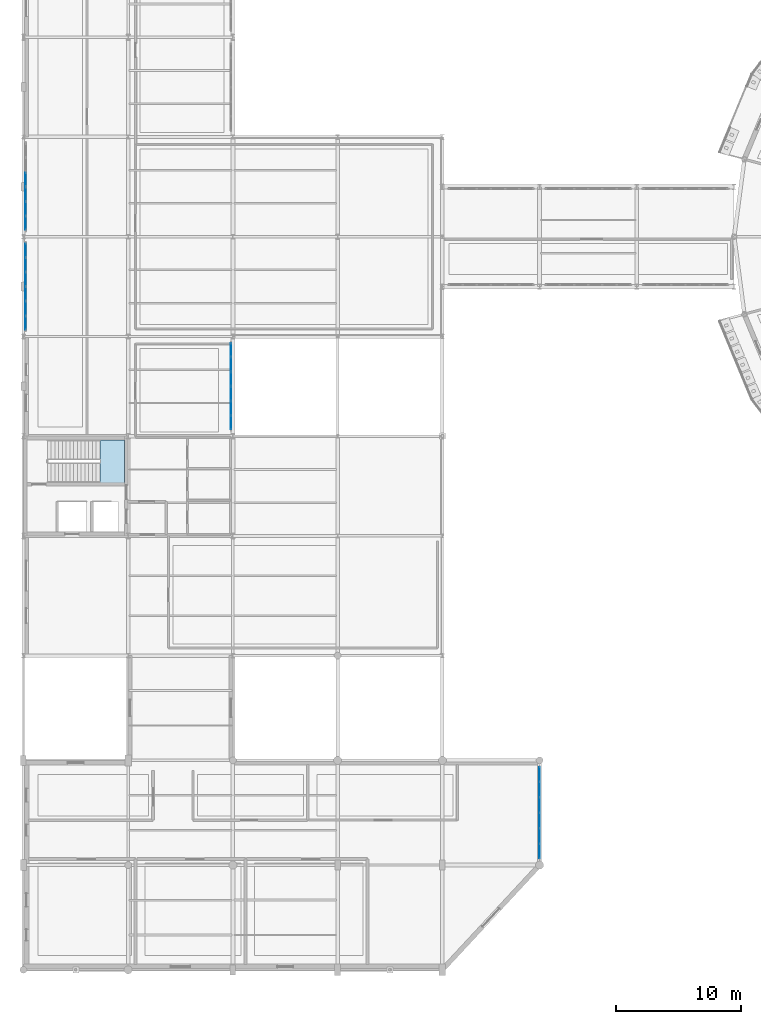
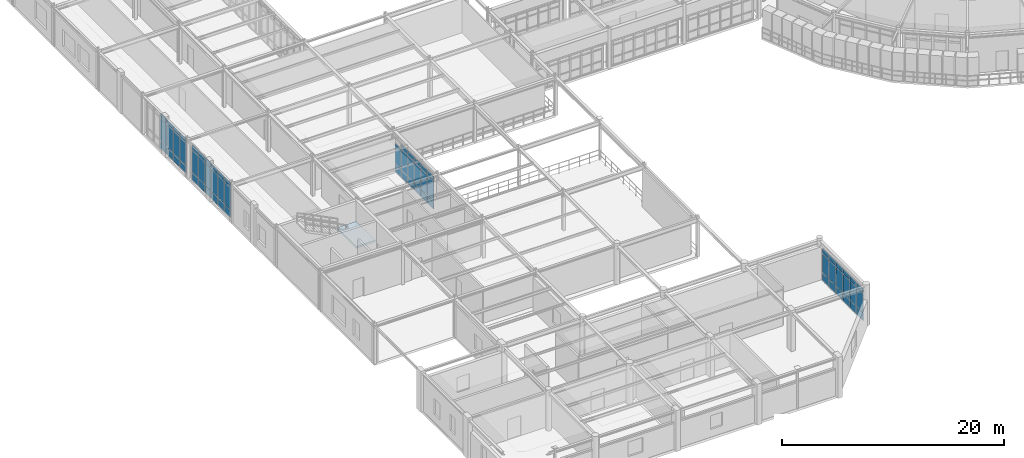
# One storey, part 65 of 106: 65 plates, 1 slab, 5 elements without a shape of their own.
"""IFC4 building model written with IfcOpenShell, lengths in metres."""

from ifc_helpers import new_model, si_unit, derived_unit, direction, frame, origin, origin_2d, place, context, subcontext, project, spatial, polyline, rectangle, outline, extrude, material, layer, layer_set, type_object, element, aggregate, save


model = new_model("IFC4")

# Units and contexts
model_context = context("Model", 3, precision=1e-05, world=origin(), true_north=direction((0.0, 1.0)))
body_context = subcontext(model_context, "Body", "Model", "MODEL_VIEW")
ifc_project = project(units=[si_unit("LENGTHUNIT", "METRE"), si_unit("AREAUNIT", "SQUARE_METRE"), si_unit("VOLUMEUNIT", "CUBIC_METRE"), si_unit("PLANEANGLEUNIT", "RADIAN"), si_unit("MASSUNIT", "GRAM", prefix="KILO"), derived_unit("THERMALTRANSMITTANCEUNIT", [(si_unit("POWERUNIT", "WATT"), 1), (si_unit("AREAUNIT", "SQUARE_METRE"), -1), (si_unit("THERMODYNAMICTEMPERATUREUNIT", "KELVIN"), -1)])], contexts=[model_context])

# Site, building, storey
site_placement = place(None, origin())
site = spatial("IfcSite", under=ifc_project, at=site_placement, CompositionType="ELEMENT")
building_placement = place(site_placement, origin())
building = spatial("IfcBuilding", under=site, at=building_placement, Name="Yasenodar Specialist Clinic", CompositionType="ELEMENT")
storey_placement = place(building_placement, frame((0.0, 0.0, 4.5)))
storey = spatial("IfcBuildingStorey", under=building, at=storey_placement, Name="L01", CompositionType="ELEMENT", Elevation=4.5)

# Curtain wall, plates
ifc_material_1 = material(Name="Bronze Anodized Aluminium and Triple Low-E Glass", Category="aluminium")
ifc_layer_1 = layer(ifc_material_1, 0.22705078125)
ifc_layer_set_1 = layer_set([ifc_layer_1], Name="Bronze Anodized Aluminium and Triple Low-E Glass")
curtain_wall_type_1 = type_object("IfcCurtainWallType", Name="CW-SYS-06", PredefinedType="USERDEFINED", material=ifc_layer_set_1)
curtain_wall_1_placement = place(storey_placement, origin())
curtain_wall_1 = element("IfcCurtainWall", 1, at=curtain_wall_1_placement, inside=storey, type_object=curtain_wall_type_1, Name="L01 Unitised Curtain Wall 120", ObjectType="UNITISED CURTAIN WALL", PredefinedType="USERDEFINED")
ifc_material_2 = material(Name="Triple Low-E Argon Glazing", Category="glass")
ifc_layer_2 = layer(ifc_material_2, 0.028076171875)
ifc_layer_set_2 = layer_set([ifc_layer_2], Name="Triple Low-E Argon Glazing")
plate_type_1 = type_object("IfcPlateType", Name="CW-PAN-1", PredefinedType="CURTAIN_PANEL", material=ifc_layer_set_2)
plate_1_placement = place(storey_placement, frame((0.179931640625, 59.885498046875, 0.074951171875), z_axis=(0.0, 0.0, 1.0), x_axis=(0.0, 1.0, 0.0)))
plate_1 = element("IfcPlate", 2, at=plate_1_placement, type_object=plate_type_1, Name="CW-06 panel 1.1", PredefinedType="CURTAIN_PANEL", context=body_context, shape_type="SweptSolid", body=[
    extrude(rectangle(XDim=1.060791015625, YDim=0.028076171875, at=origin_2d()), origin(), (0.0, 0.0, 1.0), 0.78759765625),
])
plate_2_placement = place(storey_placement, frame((0.179931640625, 59.885498046875, 0.9375), z_axis=(0.0, 0.0, 1.0), x_axis=(0.0, 1.0, 0.0)))
plate_2 = element("IfcPlate", 3, at=plate_2_placement, type_object=plate_type_1, Name="CW-06 panel 1.2", PredefinedType="CURTAIN_PANEL", context=body_context, shape_type="SweptSolid", body=[
    extrude(rectangle(XDim=1.060791015625, YDim=0.028076171875, at=origin_2d()), origin(), (0.0, 0.0, 1.0), 2.423095703125),
])
plate_3_placement = place(storey_placement, frame((0.179931640625, 59.885498046875, 3.435546875), z_axis=(0.0, 0.0, 1.0), x_axis=(0.0, 1.0, 0.0)))
plate_3 = element("IfcPlate", 4, at=plate_3_placement, type_object=plate_type_1, Name="CW-06 panel 1.3", PredefinedType="CURTAIN_PANEL", context=body_context, shape_type="SweptSolid", body=[
    extrude(rectangle(XDim=1.060791015625, YDim=0.028076171875, at=origin_2d()), origin(), (0.0, 0.0, 1.0), 0.487548828125),
])
plate_4_placement = place(storey_placement, frame((0.179931640625, 61.0400390625, 0.074951171875), z_axis=(0.0, 0.0, 1.0), x_axis=(0.0, 1.0, 0.0)))
plate_4 = element("IfcPlate", 5, at=plate_4_placement, type_object=plate_type_1, Name="CW-06 panel 2.1", PredefinedType="CURTAIN_PANEL", context=body_context, shape_type="SweptSolid", body=[
    extrude(rectangle(XDim=1.098388671875, YDim=0.028076171875, at=origin_2d()), origin(), (0.0, 0.0, 1.0), 0.78759765625),
])
plate_5_placement = place(storey_placement, frame((0.179931640625, 61.0400390625, 0.9375), z_axis=(0.0, 0.0, 1.0), x_axis=(0.0, 1.0, 0.0)))
plate_5 = element("IfcPlate", 6, at=plate_5_placement, type_object=plate_type_1, Name="CW-06 panel 2.2", PredefinedType="CURTAIN_PANEL", context=body_context, shape_type="SweptSolid", body=[
    extrude(rectangle(XDim=1.098388671875, YDim=0.028076171875, at=origin_2d()), origin(), (0.0, 0.0, 1.0), 2.423095703125),
])
plate_6_placement = place(storey_placement, frame((0.179931640625, 61.0400390625, 3.435546875), z_axis=(0.0, 0.0, 1.0), x_axis=(0.0, 1.0, 0.0)))
plate_6 = element("IfcPlate", 7, at=plate_6_placement, type_object=plate_type_1, Name="CW-06 panel 2.3", PredefinedType="CURTAIN_PANEL", context=body_context, shape_type="SweptSolid", body=[
    extrude(rectangle(XDim=1.098388671875, YDim=0.028076171875, at=origin_2d()), origin(), (0.0, 0.0, 1.0), 0.487548828125),
])
plate_7_placement = place(storey_placement, frame((0.179931640625, 62.21337890625, 0.074951171875), z_axis=(0.0, 0.0, 1.0), x_axis=(0.0, 1.0, 0.0)))
plate_7 = element("IfcPlate", 8, at=plate_7_placement, type_object=plate_type_1, Name="CW-06 panel 3.1", PredefinedType="CURTAIN_PANEL", context=body_context, shape_type="SweptSolid", body=[
    extrude(rectangle(XDim=1.098388671875, YDim=0.028076171875, at=origin_2d()), origin(), (0.0, 0.0, 1.0), 0.78759765625),
])
plate_8_placement = place(storey_placement, frame((0.179931640625, 62.21337890625, 0.9375), z_axis=(0.0, 0.0, 1.0), x_axis=(0.0, 1.0, 0.0)))
plate_8 = element("IfcPlate", 9, at=plate_8_placement, type_object=plate_type_1, Name="CW-06 panel 3.2", PredefinedType="CURTAIN_PANEL", context=body_context, shape_type="SweptSolid", body=[
    extrude(rectangle(XDim=1.098388671875, YDim=0.028076171875, at=origin_2d()), origin(), (0.0, 0.0, 1.0), 2.423095703125),
])
plate_9_placement = place(storey_placement, frame((0.179931640625, 62.21337890625, 3.435546875), z_axis=(0.0, 0.0, 1.0), x_axis=(0.0, 1.0, 0.0)))
plate_9 = element("IfcPlate", 10, at=plate_9_placement, type_object=plate_type_1, Name="CW-06 panel 3.3", PredefinedType="CURTAIN_PANEL", context=body_context, shape_type="SweptSolid", body=[
    extrude(rectangle(XDim=1.098388671875, YDim=0.028076171875, at=origin_2d()), origin(), (0.0, 0.0, 1.0), 0.487548828125),
])
plate_10_placement = place(storey_placement, frame((0.179931640625, 63.38671875, 0.074951171875), z_axis=(0.0, 0.0, 1.0), x_axis=(0.0, 1.0, 0.0)))
plate_10 = element("IfcPlate", 11, at=plate_10_placement, type_object=plate_type_1, Name="CW-06 panel 4.1", PredefinedType="CURTAIN_PANEL", context=body_context, shape_type="SweptSolid", body=[
    extrude(rectangle(XDim=1.098388671875, YDim=0.028076171875, at=origin_2d()), origin(), (0.0, 0.0, 1.0), 0.78759765625),
])
plate_11_placement = place(storey_placement, frame((0.179931640625, 63.38671875, 0.9375), z_axis=(0.0, 0.0, 1.0), x_axis=(0.0, 1.0, 0.0)))
plate_11 = element("IfcPlate", 12, at=plate_11_placement, type_object=plate_type_1, Name="CW-06 panel 4.2", PredefinedType="CURTAIN_PANEL", context=body_context, shape_type="SweptSolid", body=[
    extrude(rectangle(XDim=1.098388671875, YDim=0.028076171875, at=origin_2d()), origin(), (0.0, 0.0, 1.0), 2.423095703125),
])
plate_12_placement = place(storey_placement, frame((0.179931640625, 63.38671875, 3.435546875), z_axis=(0.0, 0.0, 1.0), x_axis=(0.0, 1.0, 0.0)))
plate_12 = element("IfcPlate", 13, at=plate_12_placement, type_object=plate_type_1, Name="CW-06 panel 4.3", PredefinedType="CURTAIN_PANEL", context=body_context, shape_type="SweptSolid", body=[
    extrude(rectangle(XDim=1.098388671875, YDim=0.028076171875, at=origin_2d()), origin(), (0.0, 0.0, 1.0), 0.487548828125),
])
aggregate(curtain_wall_1, [plate_1, plate_2, plate_3, plate_4, plate_5, plate_6, plate_7, plate_8, plate_9, plate_10, plate_11, plate_12])

ifc_layer_3 = layer(ifc_material_1, 0.202880859375)
ifc_layer_set_3 = layer_set([ifc_layer_3], Name="Bronze Anodized Aluminium and Triple Low-E Glass")
curtain_wall_type_2 = type_object("IfcCurtainWallType", Name="CW-SYS-04", PredefinedType="USERDEFINED", material=ifc_layer_set_3)
curtain_wall_2_placement = place(storey_placement, origin())
curtain_wall_2 = element("IfcCurtainWall", 14, at=curtain_wall_2_placement, inside=storey, type_object=curtain_wall_type_2, Name="L01 Unitised Curtain Wall 125", ObjectType="UNITISED CURTAIN WALL", PredefinedType="USERDEFINED")
ifc_layer_4 = layer(ifc_material_2, 0.033935546875)
ifc_layer_set_4 = layer_set([ifc_layer_4], Name="Triple Low-E Argon Glazing")
plate_type_2 = type_object("IfcPlateType", Name="CW-PAN-2", PredefinedType="CURTAIN_PANEL", material=ifc_layer_set_4)
plate_13_placement = place(storey_placement, frame((16.64990234375, 49.714599609375, 0.074951171875), z_axis=(0.0, 0.0, 1.0), x_axis=(0.0, -1.0, 0.0)))
plate_13 = element("IfcPlate", 15, at=plate_13_placement, type_object=plate_type_2, Name="CW-04 panel 1.1", PredefinedType="CURTAIN_PANEL", context=body_context, shape_type="SweptSolid", body=[
    extrude(rectangle(XDim=1.060791015625, YDim=0.033935546875, at=origin_2d()), origin(), (0.0, 0.0, 1.0), 0.78759765625),
])
plate_14_placement = place(storey_placement, frame((16.64990234375, 49.714599609375, 0.9375), z_axis=(0.0, 0.0, 1.0), x_axis=(0.0, -1.0, 0.0)))
plate_14 = element("IfcPlate", 16, at=plate_14_placement, type_object=plate_type_2, Name="CW-04 panel 1.2", PredefinedType="CURTAIN_PANEL", context=body_context, shape_type="SweptSolid", body=[
    extrude(rectangle(XDim=1.060791015625, YDim=0.033935546875, at=origin_2d()), origin(), (0.0, 0.0, 1.0), 2.202880859375),
])
plate_15_placement = place(storey_placement, frame((16.64990234375, 48.56005859375, 0.074951171875), z_axis=(0.0, 0.0, 1.0), x_axis=(0.0, -1.0, 0.0)))
plate_15 = element("IfcPlate", 17, at=plate_15_placement, type_object=plate_type_2, Name="CW-04 panel 2.1", PredefinedType="CURTAIN_PANEL", context=body_context, shape_type="SweptSolid", body=[
    extrude(rectangle(XDim=1.098388671875, YDim=0.033935546875, at=origin_2d()), origin(), (0.0, 0.0, 1.0), 0.78759765625),
])
plate_16_placement = place(storey_placement, frame((16.64990234375, 48.56005859375, 0.9375), z_axis=(0.0, 0.0, 1.0), x_axis=(0.0, -1.0, 0.0)))
plate_16 = element("IfcPlate", 18, at=plate_16_placement, type_object=plate_type_2, Name="CW-04 panel 2.2", PredefinedType="CURTAIN_PANEL", context=body_context, shape_type="SweptSolid", body=[
    extrude(rectangle(XDim=1.098388671875, YDim=0.033935546875, at=origin_2d()), origin(), (0.0, 0.0, 1.0), 2.202880859375),
])
plate_17_placement = place(storey_placement, frame((16.64990234375, 48.56005859375, 3.21533203125), z_axis=(0.0, 0.0, 1.0), x_axis=(0.0, -1.0, 0.0)))
plate_17 = element("IfcPlate", 19, at=plate_17_placement, type_object=plate_type_2, Name="CW-04 panel 2.3", PredefinedType="CURTAIN_PANEL", context=body_context, shape_type="SweptSolid", body=[
    extrude(rectangle(XDim=1.098388671875, YDim=0.033935546875, at=origin_2d()), origin(), (0.0, 0.0, 1.0), 0.487548828125),
])
plate_18_placement = place(storey_placement, frame((16.64990234375, 47.38671875, 0.074951171875), z_axis=(0.0, 0.0, 1.0), x_axis=(0.0, -1.0, 0.0)))
plate_18 = element("IfcPlate", 20, at=plate_18_placement, type_object=plate_type_2, Name="CW-04 panel 3.1", PredefinedType="CURTAIN_PANEL", context=body_context, shape_type="SweptSolid", body=[
    extrude(rectangle(XDim=1.098388671875, YDim=0.033935546875, at=origin_2d()), origin(), (0.0, 0.0, 1.0), 0.78759765625),
])
plate_19_placement = place(storey_placement, frame((16.64990234375, 47.38671875, 0.9375), z_axis=(0.0, 0.0, 1.0), x_axis=(0.0, -1.0, 0.0)))
plate_19 = element("IfcPlate", 21, at=plate_19_placement, type_object=plate_type_2, Name="CW-04 panel 3.2", PredefinedType="CURTAIN_PANEL", context=body_context, shape_type="SweptSolid", body=[
    extrude(rectangle(XDim=1.098388671875, YDim=0.033935546875, at=origin_2d()), origin(), (0.0, 0.0, 1.0), 2.202880859375),
])
plate_20_placement = place(storey_placement, frame((16.64990234375, 47.38671875, 3.21533203125), z_axis=(0.0, 0.0, 1.0), x_axis=(0.0, -1.0, 0.0)))
plate_20 = element("IfcPlate", 22, at=plate_20_placement, type_object=plate_type_2, Name="CW-04 panel 3.3", PredefinedType="CURTAIN_PANEL", context=body_context, shape_type="SweptSolid", body=[
    extrude(rectangle(XDim=1.098388671875, YDim=0.033935546875, at=origin_2d()), origin(), (0.0, 0.0, 1.0), 0.487548828125),
])
plate_21_placement = place(storey_placement, frame((16.64990234375, 46.21337890625, 0.074951171875), z_axis=(0.0, 0.0, 1.0), x_axis=(0.0, -1.0, 0.0)))
plate_21 = element("IfcPlate", 23, at=plate_21_placement, type_object=plate_type_2, Name="CW-04 panel 4.1", PredefinedType="CURTAIN_PANEL", context=body_context, shape_type="SweptSolid", body=[
    extrude(rectangle(XDim=1.098388671875, YDim=0.033935546875, at=origin_2d()), origin(), (0.0, 0.0, 1.0), 0.78759765625),
])
plate_22_placement = place(storey_placement, frame((16.64990234375, 46.21337890625, 0.9375), z_axis=(0.0, 0.0, 1.0), x_axis=(0.0, -1.0, 0.0)))
plate_22 = element("IfcPlate", 24, at=plate_22_placement, type_object=plate_type_2, Name="CW-04 panel 4.2", PredefinedType="CURTAIN_PANEL", context=body_context, shape_type="SweptSolid", body=[
    extrude(rectangle(XDim=1.098388671875, YDim=0.033935546875, at=origin_2d()), origin(), (0.0, 0.0, 1.0), 2.202880859375),
])
plate_23_placement = place(storey_placement, frame((16.64990234375, 46.21337890625, 3.21533203125), z_axis=(0.0, 0.0, 1.0), x_axis=(0.0, -1.0, 0.0)))
plate_23 = element("IfcPlate", 25, at=plate_23_placement, type_object=plate_type_2, Name="CW-04 panel 4.3", PredefinedType="CURTAIN_PANEL", context=body_context, shape_type="SweptSolid", body=[
    extrude(rectangle(XDim=1.098388671875, YDim=0.033935546875, at=origin_2d()), origin(), (0.0, 0.0, 1.0), 0.487548828125),
])
plate_24_placement = place(storey_placement, frame((16.64990234375, 45.0400390625, 0.074951171875), z_axis=(0.0, 0.0, 1.0), x_axis=(0.0, -1.0, 0.0)))
plate_24 = element("IfcPlate", 26, at=plate_24_placement, type_object=plate_type_2, Name="CW-04 panel 5.1", PredefinedType="CURTAIN_PANEL", context=body_context, shape_type="SweptSolid", body=[
    extrude(rectangle(XDim=1.098388671875, YDim=0.033935546875, at=origin_2d()), origin(), (0.0, 0.0, 1.0), 0.78759765625),
])
plate_25_placement = place(storey_placement, frame((16.64990234375, 45.0400390625, 0.9375), z_axis=(0.0, 0.0, 1.0), x_axis=(0.0, -1.0, 0.0)))
plate_25 = element("IfcPlate", 27, at=plate_25_placement, type_object=plate_type_2, Name="CW-04 panel 5.2", PredefinedType="CURTAIN_PANEL", context=body_context, shape_type="SweptSolid", body=[
    extrude(rectangle(XDim=1.098388671875, YDim=0.033935546875, at=origin_2d()), origin(), (0.0, 0.0, 1.0), 2.202880859375),
])
plate_26_placement = place(storey_placement, frame((16.64990234375, 45.0400390625, 3.21533203125), z_axis=(0.0, 0.0, 1.0), x_axis=(0.0, -1.0, 0.0)))
plate_26 = element("IfcPlate", 28, at=plate_26_placement, type_object=plate_type_2, Name="CW-04 panel 5.3", PredefinedType="CURTAIN_PANEL", context=body_context, shape_type="SweptSolid", body=[
    extrude(rectangle(XDim=1.098388671875, YDim=0.033935546875, at=origin_2d()), origin(), (0.0, 0.0, 1.0), 0.487548828125),
])
plate_27_placement = place(storey_placement, frame((16.64990234375, 43.885498046875, 0.074951171875), z_axis=(0.0, 0.0, 1.0), x_axis=(0.0, -1.0, 0.0)))
plate_27 = element("IfcPlate", 29, at=plate_27_placement, type_object=plate_type_2, Name="CW-04 panel 6.1", PredefinedType="CURTAIN_PANEL", context=body_context, shape_type="SweptSolid", body=[
    extrude(rectangle(XDim=1.060791015625, YDim=0.033935546875, at=origin_2d()), origin(), (0.0, 0.0, 1.0), 0.78759765625),
])
plate_28_placement = place(storey_placement, frame((16.64990234375, 43.885498046875, 0.9375), z_axis=(0.0, 0.0, 1.0), x_axis=(0.0, -1.0, 0.0)))
plate_28 = element("IfcPlate", 30, at=plate_28_placement, type_object=plate_type_2, Name="CW-04 panel 6.2", PredefinedType="CURTAIN_PANEL", context=body_context, shape_type="SweptSolid", body=[
    extrude(rectangle(XDim=1.060791015625, YDim=0.033935546875, at=origin_2d()), origin(), (0.0, 0.0, 1.0), 2.202880859375),
])
plate_29_placement = place(storey_placement, frame((16.64990234375, 43.885498046875, 3.21533203125), z_axis=(0.0, 0.0, 1.0), x_axis=(0.0, -1.0, 0.0)))
plate_29 = element("IfcPlate", 31, at=plate_29_placement, type_object=plate_type_2, Name="CW-04 panel 6.3", PredefinedType="CURTAIN_PANEL", context=body_context, shape_type="SweptSolid", body=[
    extrude(rectangle(XDim=1.060791015625, YDim=0.033935546875, at=origin_2d()), origin(), (0.0, 0.0, 1.0), 0.487548828125),
])
aggregate(curtain_wall_2, [plate_13, plate_14, plate_15, plate_16, plate_17, plate_18, plate_19, plate_20, plate_21, plate_22, plate_23, plate_24, plate_25, plate_26, plate_27, plate_28, plate_29])

curtain_wall_3_placement = place(storey_placement, origin())
curtain_wall_3 = element("IfcCurtainWall", 32, at=curtain_wall_3_placement, inside=storey, type_object=curtain_wall_type_2, Name="L01 Unitised Curtain Wall 074", ObjectType="UNITISED CURTAIN WALL", PredefinedType="USERDEFINED")
ifc_layer_5 = layer(ifc_material_2, 0.0400390625)
ifc_layer_set_5 = layer_set([ifc_layer_5], Name="Triple Low-E Argon Glazing")
plate_type_3 = type_object("IfcPlateType", Name="CW-PAN-3", PredefinedType="CURTAIN_PANEL", material=ifc_layer_set_5)
plate_30_placement = place(storey_placement, frame((41.39990234375, 15.68505859375, 0.06005859375), z_axis=(0.0, 0.0, 1.0), x_axis=(0.0, -1.0, 0.0)))
plate_30 = element("IfcPlate", 33, at=plate_30_placement, type_object=plate_type_3, Name="CW-04 panel 1.1", PredefinedType="CURTAIN_PANEL", context=body_context, shape_type="SweptSolid", body=[
    extrude(rectangle(XDim=1.14990234375, YDim=0.0400390625, at=origin_2d()), origin(), (0.0, 0.0, 1.0), 0.81005859375),
])
plate_31_placement = place(storey_placement, frame((41.39990234375, 15.68505859375, 0.93017578125), z_axis=(0.0, 0.0, 1.0), x_axis=(0.0, -1.0, 0.0)))
plate_31 = element("IfcPlate", 34, at=plate_31_placement, type_object=plate_type_3, Name="CW-04 panel 1.2", PredefinedType="CURTAIN_PANEL", context=body_context, shape_type="SweptSolid", body=[
    extrude(rectangle(XDim=1.14990234375, YDim=0.0400390625, at=origin_2d()), origin(), (0.0, 0.0, 1.0), 2.068115234375),
])
plate_32_placement = place(storey_placement, frame((41.39990234375, 15.68505859375, 3.05810546875), z_axis=(0.0, 0.0, 1.0), x_axis=(0.0, -1.0, 0.0)))
plate_32 = element("IfcPlate", 35, at=plate_32_placement, type_object=plate_type_3, Name="CW-04 panel 1.3", PredefinedType="CURTAIN_PANEL", context=body_context, shape_type="SweptSolid", body=[
    extrude(rectangle(XDim=1.14990234375, YDim=0.0400390625, at=origin_2d()), origin(), (0.0, 0.0, 1.0), 0.510009765625),
])
plate_33_placement = place(storey_placement, frame((41.39990234375, 14.4599609375, 0.06005859375), z_axis=(0.0, 0.0, 1.0), x_axis=(0.0, -1.0, 0.0)))
plate_33 = element("IfcPlate", 36, at=plate_33_placement, type_object=plate_type_3, Name="CW-04 panel 2.1", PredefinedType="CURTAIN_PANEL", context=body_context, shape_type="SweptSolid", body=[
    extrude(rectangle(XDim=1.179931640625, YDim=0.0400390625, at=origin_2d()), origin(), (0.0, 0.0, 1.0), 0.81005859375),
])
plate_34_placement = place(storey_placement, frame((41.39990234375, 14.4599609375, 0.93017578125), z_axis=(0.0, 0.0, 1.0), x_axis=(0.0, -1.0, 0.0)))
plate_34 = element("IfcPlate", 37, at=plate_34_placement, type_object=plate_type_3, Name="CW-04 panel 2.2", PredefinedType="CURTAIN_PANEL", context=body_context, shape_type="SweptSolid", body=[
    extrude(rectangle(XDim=1.179931640625, YDim=0.0400390625, at=origin_2d()), origin(), (0.0, 0.0, 1.0), 2.068115234375),
])
plate_35_placement = place(storey_placement, frame((41.39990234375, 14.4599609375, 3.05810546875), z_axis=(0.0, 0.0, 1.0), x_axis=(0.0, -1.0, 0.0)))
plate_35 = element("IfcPlate", 38, at=plate_35_placement, type_object=plate_type_3, Name="CW-04 panel 2.3", PredefinedType="CURTAIN_PANEL", context=body_context, shape_type="SweptSolid", body=[
    extrude(rectangle(XDim=1.179931640625, YDim=0.0400390625, at=origin_2d()), origin(), (0.0, 0.0, 1.0), 0.510009765625),
])
plate_36_placement = place(storey_placement, frame((41.39990234375, 13.219970703125, 0.06005859375), z_axis=(0.0, 0.0, 1.0), x_axis=(0.0, -1.0, 0.0)))
plate_36 = element("IfcPlate", 39, at=plate_36_placement, type_object=plate_type_3, Name="CW-04 panel 3.1", PredefinedType="CURTAIN_PANEL", context=body_context, shape_type="SweptSolid", body=[
    extrude(rectangle(XDim=1.179931640625, YDim=0.0400390625, at=origin_2d()), origin(), (0.0, 0.0, 1.0), 0.81005859375),
])
plate_37_placement = place(storey_placement, frame((41.39990234375, 13.219970703125, 0.93017578125), z_axis=(0.0, 0.0, 1.0), x_axis=(0.0, -1.0, 0.0)))
plate_37 = element("IfcPlate", 40, at=plate_37_placement, type_object=plate_type_3, Name="CW-04 panel 3.2", PredefinedType="CURTAIN_PANEL", context=body_context, shape_type="SweptSolid", body=[
    extrude(rectangle(XDim=1.179931640625, YDim=0.0400390625, at=origin_2d()), origin(), (0.0, 0.0, 1.0), 2.068115234375),
])
plate_38_placement = place(storey_placement, frame((41.39990234375, 13.219970703125, 3.05810546875), z_axis=(0.0, 0.0, 1.0), x_axis=(0.0, -1.0, 0.0)))
plate_38 = element("IfcPlate", 41, at=plate_38_placement, type_object=plate_type_3, Name="CW-04 panel 3.3", PredefinedType="CURTAIN_PANEL", context=body_context, shape_type="SweptSolid", body=[
    extrude(rectangle(XDim=1.179931640625, YDim=0.0400390625, at=origin_2d()), origin(), (0.0, 0.0, 1.0), 0.510009765625),
])
plate_39_placement = place(storey_placement, frame((41.39990234375, 11.97998046875, 0.06005859375), z_axis=(0.0, 0.0, 1.0), x_axis=(0.0, -1.0, 0.0)))
plate_39 = element("IfcPlate", 42, at=plate_39_placement, type_object=plate_type_3, Name="CW-04 panel 4.1", PredefinedType="CURTAIN_PANEL", context=body_context, shape_type="SweptSolid", body=[
    extrude(rectangle(XDim=1.179931640625, YDim=0.0400390625, at=origin_2d()), origin(), (0.0, 0.0, 1.0), 0.81005859375),
])
plate_40_placement = place(storey_placement, frame((41.39990234375, 11.97998046875, 0.93017578125), z_axis=(0.0, 0.0, 1.0), x_axis=(0.0, -1.0, 0.0)))
plate_40 = element("IfcPlate", 43, at=plate_40_placement, type_object=plate_type_3, Name="CW-04 panel 4.2", PredefinedType="CURTAIN_PANEL", context=body_context, shape_type="SweptSolid", body=[
    extrude(rectangle(XDim=1.179931640625, YDim=0.0400390625, at=origin_2d()), origin(), (0.0, 0.0, 1.0), 2.068115234375),
])
plate_41_placement = place(storey_placement, frame((41.39990234375, 11.97998046875, 3.05810546875), z_axis=(0.0, 0.0, 1.0), x_axis=(0.0, -1.0, 0.0)))
plate_41 = element("IfcPlate", 44, at=plate_41_placement, type_object=plate_type_3, Name="CW-04 panel 4.3", PredefinedType="CURTAIN_PANEL", context=body_context, shape_type="SweptSolid", body=[
    extrude(rectangle(XDim=1.179931640625, YDim=0.0400390625, at=origin_2d()), origin(), (0.0, 0.0, 1.0), 0.510009765625),
])
plate_42_placement = place(storey_placement, frame((41.39990234375, 10.739990234375, 0.06005859375), z_axis=(0.0, 0.0, 1.0), x_axis=(0.0, -1.0, 0.0)))
plate_42 = element("IfcPlate", 45, at=plate_42_placement, type_object=plate_type_3, Name="CW-04 panel 5.1", PredefinedType="CURTAIN_PANEL", context=body_context, shape_type="SweptSolid", body=[
    extrude(rectangle(XDim=1.179931640625, YDim=0.0400390625, at=origin_2d()), origin(), (0.0, 0.0, 1.0), 0.81005859375),
])
plate_43_placement = place(storey_placement, frame((41.39990234375, 10.739990234375, 0.93017578125), z_axis=(0.0, 0.0, 1.0), x_axis=(0.0, -1.0, 0.0)))
plate_43 = element("IfcPlate", 46, at=plate_43_placement, type_object=plate_type_3, Name="CW-04 panel 5.2", PredefinedType="CURTAIN_PANEL", context=body_context, shape_type="SweptSolid", body=[
    extrude(rectangle(XDim=1.179931640625, YDim=0.0400390625, at=origin_2d()), origin(), (0.0, 0.0, 1.0), 2.068115234375),
])
plate_44_placement = place(storey_placement, frame((41.39990234375, 10.739990234375, 3.05810546875), z_axis=(0.0, 0.0, 1.0), x_axis=(0.0, -1.0, 0.0)))
plate_44 = element("IfcPlate", 47, at=plate_44_placement, type_object=plate_type_3, Name="CW-04 panel 5.3", PredefinedType="CURTAIN_PANEL", context=body_context, shape_type="SweptSolid", body=[
    extrude(rectangle(XDim=1.179931640625, YDim=0.0400390625, at=origin_2d()), origin(), (0.0, 0.0, 1.0), 0.510009765625),
])
plate_45_placement = place(storey_placement, frame((41.39990234375, 9.514892578125, 0.06005859375), z_axis=(0.0, 0.0, 1.0), x_axis=(0.0, -1.0, 0.0)))
plate_45 = element("IfcPlate", 48, at=plate_45_placement, type_object=plate_type_3, Name="CW-04 panel 6.1", PredefinedType="CURTAIN_PANEL", context=body_context, shape_type="SweptSolid", body=[
    extrude(rectangle(XDim=1.14990234375, YDim=0.0400390625, at=origin_2d()), origin(), (0.0, 0.0, 1.0), 0.81005859375),
])
plate_46_placement = place(storey_placement, frame((41.39990234375, 9.514892578125, 0.93017578125), z_axis=(0.0, 0.0, 1.0), x_axis=(0.0, -1.0, 0.0)))
plate_46 = element("IfcPlate", 49, at=plate_46_placement, type_object=plate_type_3, Name="CW-04 panel 6.2", PredefinedType="CURTAIN_PANEL", context=body_context, shape_type="SweptSolid", body=[
    extrude(rectangle(XDim=1.14990234375, YDim=0.0400390625, at=origin_2d()), origin(), (0.0, 0.0, 1.0), 2.068115234375),
])
plate_47_placement = place(storey_placement, frame((41.39990234375, 9.514892578125, 3.05810546875), z_axis=(0.0, 0.0, 1.0), x_axis=(0.0, -1.0, 0.0)))
plate_47 = element("IfcPlate", 50, at=plate_47_placement, type_object=plate_type_3, Name="CW-04 panel 6.3", PredefinedType="CURTAIN_PANEL", context=body_context, shape_type="SweptSolid", body=[
    extrude(rectangle(XDim=1.14990234375, YDim=0.0400390625, at=origin_2d()), origin(), (0.0, 0.0, 1.0), 0.510009765625),
])
aggregate(curtain_wall_3, [plate_30, plate_31, plate_32, plate_33, plate_34, plate_35, plate_36, plate_37, plate_38, plate_39, plate_40, plate_41, plate_42, plate_43, plate_44, plate_45, plate_46, plate_47])

curtain_wall_4_placement = place(storey_placement, origin())
curtain_wall_4 = element("IfcCurtainWall", 51, at=curtain_wall_4_placement, inside=storey, type_object=curtain_wall_type_1, Name="L01 Unitised Curtain Wall 119", ObjectType="UNITISED CURTAIN WALL", PredefinedType="USERDEFINED")
ifc_layer_6 = layer(ifc_material_2, 0.0458984375)
ifc_layer_set_6 = layer_set([ifc_layer_6], Name="Triple Low-E Argon Glazing")
plate_type_4 = type_object("IfcPlateType", Name="CW-PAN-4", PredefinedType="CURTAIN_PANEL", material=ifc_layer_set_6)
plate_48_placement = place(storey_placement, frame((0.179931640625, 51.88427734375, 0.070068359375), z_axis=(0.0, 0.0, 1.0), x_axis=(0.0, 1.0, 0.0)))
plate_48 = element("IfcPlate", 52, at=plate_48_placement, type_object=plate_type_4, Name="CW-06 panel 1.1", PredefinedType="CURTAIN_PANEL", context=body_context, shape_type="SweptSolid", body=[
    extrude(rectangle(XDim=1.068359375, YDim=0.0458984375, at=origin_2d()), origin(), (0.0, 0.0, 1.0), 0.794921875),
])
plate_49_placement = place(storey_placement, frame((0.179931640625, 51.88427734375, 0.93505859375), z_axis=(0.0, 0.0, 1.0), x_axis=(0.0, 1.0, 0.0)))
plate_49 = element("IfcPlate", 53, at=plate_49_placement, type_object=plate_type_4, Name="CW-06 panel 1.2", PredefinedType="CURTAIN_PANEL", context=body_context, shape_type="SweptSolid", body=[
    extrude(rectangle(XDim=1.068359375, YDim=0.0458984375, at=origin_2d()), origin(), (0.0, 0.0, 1.0), 2.407958984375),
])
plate_50_placement = place(storey_placement, frame((0.179931640625, 51.88427734375, 3.412841796875), z_axis=(0.0, 0.0, 1.0), x_axis=(0.0, 1.0, 0.0)))
plate_50 = element("IfcPlate", 54, at=plate_50_placement, type_object=plate_type_4, Name="CW-06 panel 1.3", PredefinedType="CURTAIN_PANEL", context=body_context, shape_type="SweptSolid", body=[
    extrude(rectangle(XDim=1.068359375, YDim=0.0458984375, at=origin_2d()), origin(), (0.0, 0.0, 1.0), 0.4951171875),
])
plate_51_placement = place(storey_placement, frame((0.179931640625, 53.0400390625, 0.070068359375), z_axis=(0.0, 0.0, 1.0), x_axis=(0.0, 1.0, 0.0)))
plate_51 = element("IfcPlate", 55, at=plate_51_placement, type_object=plate_type_4, Name="CW-06 panel 2.1", PredefinedType="CURTAIN_PANEL", context=body_context, shape_type="SweptSolid", body=[
    extrude(rectangle(XDim=1.103271484375, YDim=0.0458984375, at=origin_2d()), origin(), (0.0, 0.0, 1.0), 0.794921875),
])
plate_52_placement = place(storey_placement, frame((0.179931640625, 53.0400390625, 0.93505859375), z_axis=(0.0, 0.0, 1.0), x_axis=(0.0, 1.0, 0.0)))
plate_52 = element("IfcPlate", 56, at=plate_52_placement, type_object=plate_type_4, Name="CW-06 panel 2.2", PredefinedType="CURTAIN_PANEL", context=body_context, shape_type="SweptSolid", body=[
    extrude(rectangle(XDim=1.103271484375, YDim=0.0458984375, at=origin_2d()), origin(), (0.0, 0.0, 1.0), 2.407958984375),
])
plate_53_placement = place(storey_placement, frame((0.179931640625, 53.0400390625, 3.412841796875), z_axis=(0.0, 0.0, 1.0), x_axis=(0.0, 1.0, 0.0)))
plate_53 = element("IfcPlate", 57, at=plate_53_placement, type_object=plate_type_4, Name="CW-06 panel 2.3", PredefinedType="CURTAIN_PANEL", context=body_context, shape_type="SweptSolid", body=[
    extrude(rectangle(XDim=1.103271484375, YDim=0.0458984375, at=origin_2d()), origin(), (0.0, 0.0, 1.0), 0.4951171875),
])
plate_54_placement = place(storey_placement, frame((0.179931640625, 54.21337890625, 0.070068359375), z_axis=(0.0, 0.0, 1.0), x_axis=(0.0, 1.0, 0.0)))
plate_54 = element("IfcPlate", 58, at=plate_54_placement, type_object=plate_type_4, Name="CW-06 panel 3.1", PredefinedType="CURTAIN_PANEL", context=body_context, shape_type="SweptSolid", body=[
    extrude(rectangle(XDim=1.103271484375, YDim=0.0458984375, at=origin_2d()), origin(), (0.0, 0.0, 1.0), 0.794921875),
])
plate_55_placement = place(storey_placement, frame((0.179931640625, 54.21337890625, 0.93505859375), z_axis=(0.0, 0.0, 1.0), x_axis=(0.0, 1.0, 0.0)))
plate_55 = element("IfcPlate", 59, at=plate_55_placement, type_object=plate_type_4, Name="CW-06 panel 3.2", PredefinedType="CURTAIN_PANEL", context=body_context, shape_type="SweptSolid", body=[
    extrude(rectangle(XDim=1.103271484375, YDim=0.0458984375, at=origin_2d()), origin(), (0.0, 0.0, 1.0), 2.407958984375),
])
plate_56_placement = place(storey_placement, frame((0.179931640625, 54.21337890625, 3.412841796875), z_axis=(0.0, 0.0, 1.0), x_axis=(0.0, 1.0, 0.0)))
plate_56 = element("IfcPlate", 60, at=plate_56_placement, type_object=plate_type_4, Name="CW-06 panel 3.3", PredefinedType="CURTAIN_PANEL", context=body_context, shape_type="SweptSolid", body=[
    extrude(rectangle(XDim=1.103271484375, YDim=0.0458984375, at=origin_2d()), origin(), (0.0, 0.0, 1.0), 0.4951171875),
])
plate_57_placement = place(storey_placement, frame((0.179931640625, 55.38671875, 0.070068359375), z_axis=(0.0, 0.0, 1.0), x_axis=(0.0, 1.0, 0.0)))
plate_57 = element("IfcPlate", 61, at=plate_57_placement, type_object=plate_type_4, Name="CW-06 panel 4.1", PredefinedType="CURTAIN_PANEL", context=body_context, shape_type="SweptSolid", body=[
    extrude(rectangle(XDim=1.103271484375, YDim=0.0458984375, at=origin_2d()), origin(), (0.0, 0.0, 1.0), 0.794921875),
])
plate_58_placement = place(storey_placement, frame((0.179931640625, 55.38671875, 0.93505859375), z_axis=(0.0, 0.0, 1.0), x_axis=(0.0, 1.0, 0.0)))
plate_58 = element("IfcPlate", 62, at=plate_58_placement, type_object=plate_type_4, Name="CW-06 panel 4.2", PredefinedType="CURTAIN_PANEL", context=body_context, shape_type="SweptSolid", body=[
    extrude(rectangle(XDim=1.103271484375, YDim=0.0458984375, at=origin_2d()), origin(), (0.0, 0.0, 1.0), 2.407958984375),
])
plate_59_placement = place(storey_placement, frame((0.179931640625, 55.38671875, 3.412841796875), z_axis=(0.0, 0.0, 1.0), x_axis=(0.0, 1.0, 0.0)))
plate_59 = element("IfcPlate", 63, at=plate_59_placement, type_object=plate_type_4, Name="CW-06 panel 4.3", PredefinedType="CURTAIN_PANEL", context=body_context, shape_type="SweptSolid", body=[
    extrude(rectangle(XDim=1.103271484375, YDim=0.0458984375, at=origin_2d()), origin(), (0.0, 0.0, 1.0), 0.4951171875),
])
plate_60_placement = place(storey_placement, frame((0.179931640625, 56.56005859375, 0.070068359375), z_axis=(0.0, 0.0, 1.0), x_axis=(0.0, 1.0, 0.0)))
plate_60 = element("IfcPlate", 64, at=plate_60_placement, type_object=plate_type_4, Name="CW-06 panel 5.1", PredefinedType="CURTAIN_PANEL", context=body_context, shape_type="SweptSolid", body=[
    extrude(rectangle(XDim=1.103271484375, YDim=0.0458984375, at=origin_2d()), origin(), (0.0, 0.0, 1.0), 0.794921875),
])
plate_61_placement = place(storey_placement, frame((0.179931640625, 56.56005859375, 0.93505859375), z_axis=(0.0, 0.0, 1.0), x_axis=(0.0, 1.0, 0.0)))
plate_61 = element("IfcPlate", 65, at=plate_61_placement, type_object=plate_type_4, Name="CW-06 panel 5.2", PredefinedType="CURTAIN_PANEL", context=body_context, shape_type="SweptSolid", body=[
    extrude(rectangle(XDim=1.103271484375, YDim=0.0458984375, at=origin_2d()), origin(), (0.0, 0.0, 1.0), 2.407958984375),
])
plate_62_placement = place(storey_placement, frame((0.179931640625, 56.56005859375, 3.412841796875), z_axis=(0.0, 0.0, 1.0), x_axis=(0.0, 1.0, 0.0)))
plate_62 = element("IfcPlate", 66, at=plate_62_placement, type_object=plate_type_4, Name="CW-06 panel 5.3", PredefinedType="CURTAIN_PANEL", context=body_context, shape_type="SweptSolid", body=[
    extrude(rectangle(XDim=1.103271484375, YDim=0.0458984375, at=origin_2d()), origin(), (0.0, 0.0, 1.0), 0.4951171875),
])
plate_63_placement = place(storey_placement, frame((0.179931640625, 57.7158203125, 0.070068359375), z_axis=(0.0, 0.0, 1.0), x_axis=(0.0, 1.0, 0.0)))
plate_63 = element("IfcPlate", 67, at=plate_63_placement, type_object=plate_type_4, Name="CW-06 panel 6.1", PredefinedType="CURTAIN_PANEL", context=body_context, shape_type="SweptSolid", body=[
    extrude(rectangle(XDim=1.068359375, YDim=0.0458984375, at=origin_2d()), origin(), (0.0, 0.0, 1.0), 0.794921875),
])
plate_64_placement = place(storey_placement, frame((0.179931640625, 57.7158203125, 0.93505859375), z_axis=(0.0, 0.0, 1.0), x_axis=(0.0, 1.0, 0.0)))
plate_64 = element("IfcPlate", 68, at=plate_64_placement, type_object=plate_type_4, Name="CW-06 panel 6.2", PredefinedType="CURTAIN_PANEL", context=body_context, shape_type="SweptSolid", body=[
    extrude(rectangle(XDim=1.068359375, YDim=0.0458984375, at=origin_2d()), origin(), (0.0, 0.0, 1.0), 2.407958984375),
])
plate_65_placement = place(storey_placement, frame((0.179931640625, 57.7158203125, 3.412841796875), z_axis=(0.0, 0.0, 1.0), x_axis=(0.0, 1.0, 0.0)))
plate_65 = element("IfcPlate", 69, at=plate_65_placement, type_object=plate_type_4, Name="CW-06 panel 6.3", PredefinedType="CURTAIN_PANEL", context=body_context, shape_type="SweptSolid", body=[
    extrude(rectangle(XDim=1.068359375, YDim=0.0458984375, at=origin_2d()), origin(), (0.0, 0.0, 1.0), 0.4951171875),
])
aggregate(curtain_wall_4, [plate_48, plate_49, plate_50, plate_51, plate_52, plate_53, plate_54, plate_55, plate_56, plate_57, plate_58, plate_59, plate_60, plate_61, plate_62, plate_63, plate_64, plate_65])

# Stair, slab
ifc_material_3 = material(Name="Concrete C30/37", Category="concrete")
stair_type = type_object("IfcStairType", Name="ST-DOG-C1-30", PredefinedType="HALF_TURN_STAIR", material=ifc_material_3)
stair_placement = place(storey_placement, origin())
stair = element("IfcStair", 70, at=stair_placement, inside=storey, type_object=stair_type, Name="L01 Core C1 Exit Stair ST-01", PredefinedType="HALF_TURN_STAIR")
ifc_layer_7 = layer(ifc_material_3, 0.199951171875)
ifc_layer_set_7 = layer_set([ifc_layer_7], Name="Concrete C30/37")
slab_type = type_object("IfcSlabType", Name="SLB-LND-200", PredefinedType="LANDING", material=ifc_layer_set_7)
slab_placement = place(storey_placement, frame((0.0, 0.0, 2.050048828125)))
slab = element("IfcSlab", 71, at=slab_placement, type_object=slab_type, Name="ST-01 landing 1", PredefinedType="LANDING", context=body_context, shape_type="SweptSolid", body=[
    extrude(outline(polyline([(6.1298828125, 39.06005859375), (8.1201171875, 39.06005859375), (8.1201171875, 42.510009765625), (6.1298828125, 42.510009765625), (6.1298828125, 39.06005859375)])), origin(), (0.0, 0.0, 1.0), 0.199951171875),
])
aggregate(stair, [slab])

save(model, "model.ifc")
